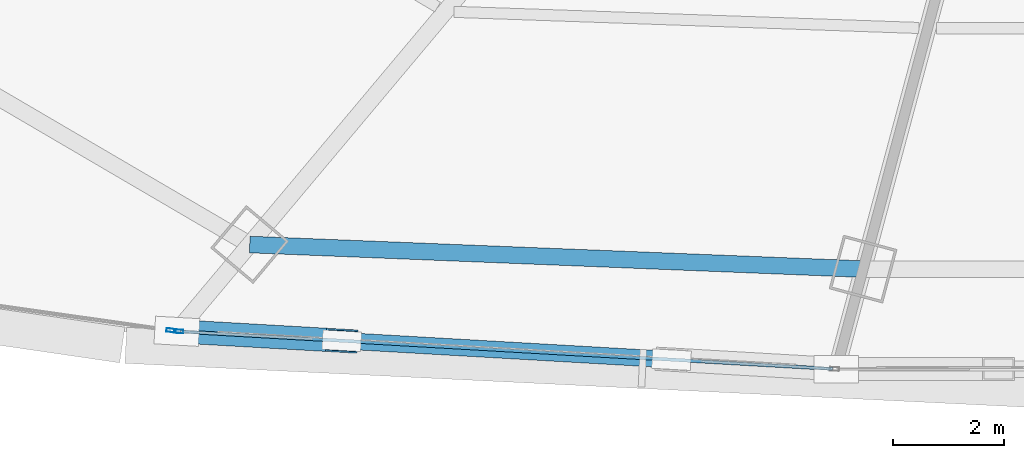
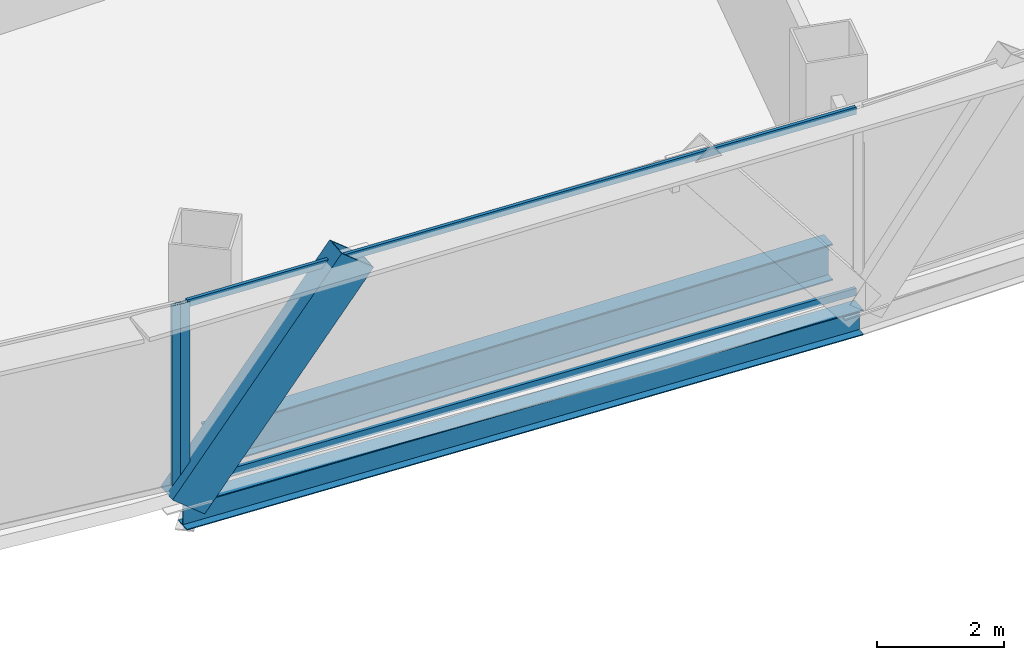
# One storey, part 6 of 39: 5 members, 2 beams, 2 elements without a shape of their own.
"""IFC4 building model written with IfcOpenShell, lengths in metres."""

from ifc_helpers import new_model, si_unit, direction, frame, origin, origin_2d, place, context, subcontext, project, spatial, hollow_rectangle, i_section, extrude, source, transform, mapped, material, layer, layer_set, material_profile, profile_set, type_object, element, aggregate, save


model = new_model("IFC4")

# Units and contexts
model_context = context("Model", 3, precision=1e-05, world=origin(), true_north=direction((0.0, 1.0)))
body_context = subcontext(model_context, "Body", "Model", "MODEL_VIEW")
ifc_project = project(units=[si_unit("LENGTHUNIT", "METRE"), si_unit("AREAUNIT", "SQUARE_METRE"), si_unit("VOLUMEUNIT", "CUBIC_METRE"), si_unit("PLANEANGLEUNIT", "RADIAN"), si_unit("MASSUNIT", "GRAM", prefix="KILO"), si_unit("THERMODYNAMICTEMPERATUREUNIT", "KELVIN"), si_unit("POWERUNIT", "WATT")], contexts=[model_context])

# Site, building, storey
site_placement = place(None, origin())
site = spatial("IfcSite", under=ifc_project, at=site_placement, CompositionType="ELEMENT")
building_placement = place(site_placement, origin())
building = spatial("IfcBuilding", under=site, at=building_placement, Name="Yunzhuo Pagoda Commons", CompositionType="ELEMENT")
storey_placement = place(building_placement, frame((0.0, 0.0, 96.3798828125)))
storey = spatial("IfcBuildingStorey", under=building, at=storey_placement, Name="L24", CompositionType="ELEMENT", Elevation=96.3798828125)

# Beams
ifc_material_1 = material(Name="Structural steel Q355B", Category="steel")
ifc_material_profile_1 = material_profile(ifc_material_1, i_section(OverallWidth=0.300048828125, OverallDepth=0.699951171875, WebThickness=0.012939453125, FlangeThickness=0.02392578125, at=origin_2d()), Name="Structural steel Q355B")
ifc_profile_set_1 = profile_set([ifc_material_profile_1], Name="Structural steel Q355B")
beam_type_1 = type_object("IfcBeamType", Name="B-RG1 Beam HN 700x300x13x24", PredefinedType="BEAM", material=ifc_profile_set_1)
shared_shape_1 = source(origin(), body_context, "Body", "SweptSolid", [
    extrude(i_section(OverallWidth=0.300048828125, OverallDepth=0.699951171875, WebThickness=0.012939453125, FlangeThickness=0.02392578125, at=origin_2d()), origin(), (0.0, 0.0, 1.0), 11.077392578125),
])
beam_1_placement = place(storey_placement, frame((31.56396484375, 14.1123046875, -0.609619140625), z_axis=(0.999196975427, -0.040067496776, 0.0), x_axis=(0.040067496776, 0.999196975427, 0.0)))
element("IfcBeam", 1, at=beam_1_placement, inside=storey, type_object=beam_type_1, Name="L24 column-ring beam 1", PredefinedType="BEAM", context=body_context, shape_type="MappedRepresentation", body=[
    mapped(shared_shape_1, transform((0.0, 0.0, 0.0), scale=1.0)),
])
ifc_material_profile_2 = material_profile(ifc_material_1, i_section(OverallWidth=0.300048828125, OverallDepth=0.488037109375, WebThickness=0.010986328125, FlangeThickness=0.01806640625, at=origin_2d()), Name="Structural steel Q355B")
ifc_profile_set_2 = profile_set([ifc_material_profile_2], Name="Structural steel Q355B")
beam_type_2 = type_object("IfcBeamType", Name="B-SP1 Beam HM 488x300x11x18", PredefinedType="BEAM", material=ifc_profile_set_2)
shared_shape_2 = source(origin(), body_context, "Body", "SweptSolid", [
    extrude(i_section(OverallWidth=0.300048828125, OverallDepth=0.488037109375, WebThickness=0.010986328125, FlangeThickness=0.01806640625, at=origin_2d()), origin(), (0.0, 0.0, 1.0), 11.918212890625),
])
beam_2_placement = place(storey_placement, frame((30.25048828125, 12.547119140625, -0.50390625), z_axis=(0.998357270024, -0.057295387165, 0.0), x_axis=(0.057295387165, 0.998357270024, 0.0)))
element("IfcBeam", 2, at=beam_2_placement, inside=storey, type_object=beam_type_2, Name="L24 facade edge spandrel beam F1.1", PredefinedType="BEAM", context=body_context, shape_type="MappedRepresentation", body=[
    mapped(shared_shape_2, transform((0.0, 0.0, 0.0), scale=1.0)),
])

# Member
ifc_material_2 = material(Name="Structural steel Q420B", Category="steel")
ifc_material_profile_3 = material_profile(ifc_material_2, hollow_rectangle(XDim=0.419921875, YDim=0.719970703125, WallThickness=0.028076171875, at=origin_2d()), Name="Structural steel Q420B")
ifc_profile_set_3 = profile_set([ifc_material_profile_3], Name="Structural steel Q420B")
member_type_1 = type_object("IfcMemberType", Name="M-DL1 Brace BOX 720x420x28", PredefinedType="BRACE", material=ifc_profile_set_3)
shared_shape_3 = source(origin(), body_context, "Body", "SweptSolid", [
    extrude(hollow_rectangle(XDim=0.419921875, YDim=0.719970703125, WallThickness=0.028076171875, at=origin_2d()), origin(), (0.0, 0.0, 1.0), 4.82861328125),
])
member_1_placement = place(storey_placement, frame((30.25048828125, 12.547119140625, -0.259765625), z_axis=(0.616032298285, -0.035341971151, 0.786927666654), x_axis=(0.057276141142, 0.998358374361, 0.0)))
element("IfcMember", 3, at=member_1_placement, inside=storey, type_object=member_type_1, Name="L24 facade diamond brace F1.1L", PredefinedType="BRACE", context=body_context, shape_type="MappedRepresentation", body=[
    mapped(shared_shape_3, transform((0.0, 0.0, 0.0), scale=1.0)),
])

# Curtain wall, member
ifc_material_3 = material(Name="Anodized aluminium 6063-T6", Category="aluminium")
ifc_layer = layer(ifc_material_3, 0.1650390625)
ifc_layer_set = layer_set([ifc_layer], Name="Anodized aluminium 6063-T6")
curtain_wall_type = type_object("IfcCurtainWallType", Name="CW-LOW Low-Zone Ribbon Curtain Wall", PredefinedType="NOTDEFINED", material=ifc_layer_set)
curtain_wall_1_placement = place(storey_placement, origin())
curtain_wall_1 = element("IfcCurtainWall", 4, at=curtain_wall_1_placement, inside=storey, type_object=curtain_wall_type, Name="L24 curtain wall CW-L24-F1B2", PredefinedType="NOTDEFINED")
ifc_material_profile_4 = material_profile(ifc_material_3, hollow_rectangle(XDim=0.06494140625, YDim=0.1650390625, WallThickness=0.00390625, at=origin_2d()), Name="Anodized aluminium 6063-T6")
ifc_profile_set_4 = profile_set([ifc_material_profile_4], Name="Anodized aluminium 6063-T6")
member_type_2 = type_object("IfcMemberType", Name="CW-LOW-M Mullion RHS 165x65x4", PredefinedType="MULLION", material=ifc_profile_set_4)
shared_shape_4 = source(origin(), body_context, "Body", "SweptSolid", [
    extrude(hollow_rectangle(XDim=0.06494140625, YDim=0.1650390625, WallThickness=0.00390625, at=origin_2d()), origin(), (0.0, 0.0, 1.0), 3.5400390625),
])
member_2_placement = place(storey_placement, frame((30.282958984375, 12.545166015625, 0.0), z_axis=(0.0, 0.0, 1.0), x_axis=(0.057299493103, 0.998357034377, 0.0)))
member_2 = element("IfcMember", 5, at=member_2_placement, type_object=member_type_2, Name="CW mullion 1", PredefinedType="MULLION", context=body_context, shape_type="MappedRepresentation", body=[
    mapped(shared_shape_4, transform((0.0, 0.0, 0.0), scale=1.0)),
])

curtain_wall_2_placement = place(storey_placement, origin())
curtain_wall_2 = element("IfcCurtainWall", 6, at=curtain_wall_2_placement, inside=storey, type_object=curtain_wall_type, Name="L24 curtain wall CW-L24-F1B1", PredefinedType="NOTDEFINED")
member_3_placement = place(storey_placement, frame((30.14404296875, 12.562255859375, 0.0), z_axis=(0.0, 0.0, 1.0), x_axis=(0.140773671614, 0.990041803855, 0.0)))
member_3 = element("IfcMember", 7, at=member_3_placement, type_object=member_type_2, Name="CW mullion 2", PredefinedType="MULLION", context=body_context, shape_type="MappedRepresentation", body=[
    mapped(shared_shape_4, transform((0.0, 0.0, 0.0), scale=1.0)),
])
aggregate(curtain_wall_2, [member_3])

# Member
ifc_material_profile_5 = material_profile(ifc_material_3, hollow_rectangle(XDim=0.06005859375, YDim=0.139892578125, WallThickness=0.00341796875, at=origin_2d()), Name="Anodized aluminium 6063-T6")
ifc_profile_set_5 = profile_set([ifc_material_profile_5], Name="Anodized aluminium 6063-T6")
member_type_3 = type_object("IfcMemberType", Name="CW-LOW-T Transom RHS 140x60x3.5", PredefinedType="USERDEFINED", material=ifc_profile_set_5)
shared_shape_5 = source(origin(), body_context, "Body", "SweptSolid", [
    extrude(hollow_rectangle(XDim=0.06005859375, YDim=0.139892578125, WallThickness=0.00341796875, at=origin_2d()), origin(), (0.0, 0.0, 1.0), 11.788330078125),
])
member_4_placement = place(storey_placement, frame((30.3154296875, 12.54345703125, 0.030029296875), z_axis=(0.998356708557, -0.057305169742, 0.0), x_axis=(0.057305169742, 0.998356708557, 0.0)))
member_4 = element("IfcMember", 8, at=member_4_placement, type_object=member_type_3, Name="CW transom 1.1", ObjectType="TRANSOM", PredefinedType="USERDEFINED", context=body_context, shape_type="MappedRepresentation", body=[
    mapped(shared_shape_5, transform((0.0, 0.0, 0.0), scale=1.0)),
])

member_5_placement = place(storey_placement, frame((30.3154296875, 12.54345703125, 3.510009765625), z_axis=(0.998356708557, -0.057305169742, 0.0), x_axis=(0.057305169742, 0.998356708557, 0.0)))
member_5 = element("IfcMember", 9, at=member_5_placement, type_object=member_type_3, Name="CW transom 1.2", ObjectType="TRANSOM", PredefinedType="USERDEFINED", context=body_context, shape_type="MappedRepresentation", body=[
    mapped(shared_shape_5, transform((0.0, 0.0, 0.0), scale=1.0)),
])

aggregate(curtain_wall_1, [member_2, member_4, member_5])

save(model, "model.ifc")
